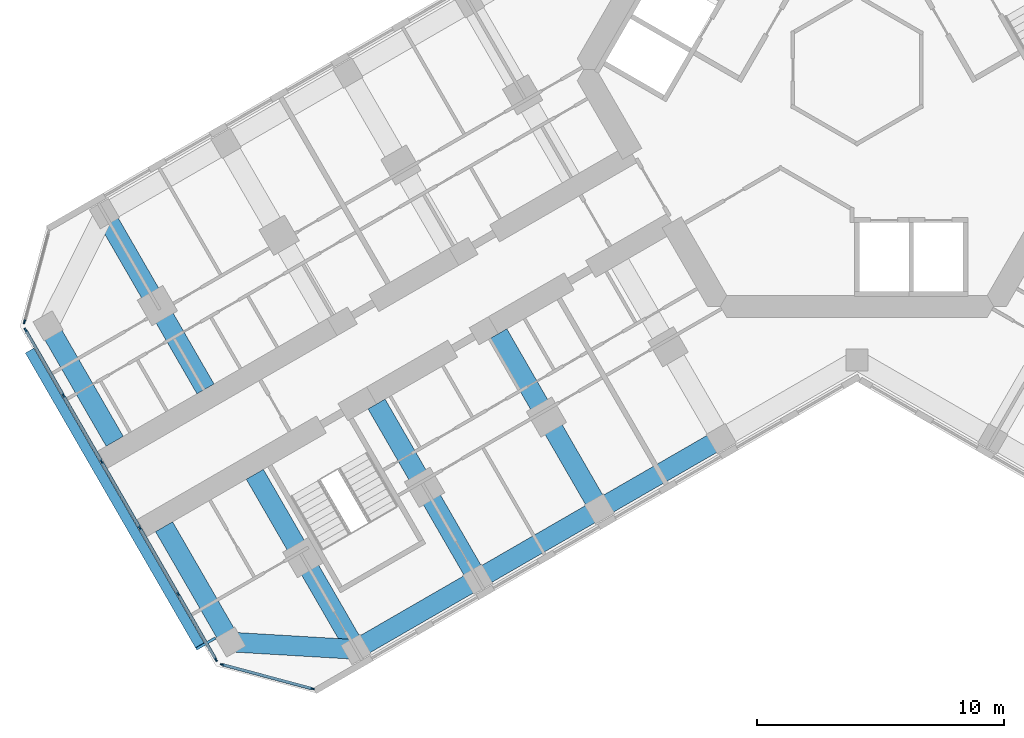
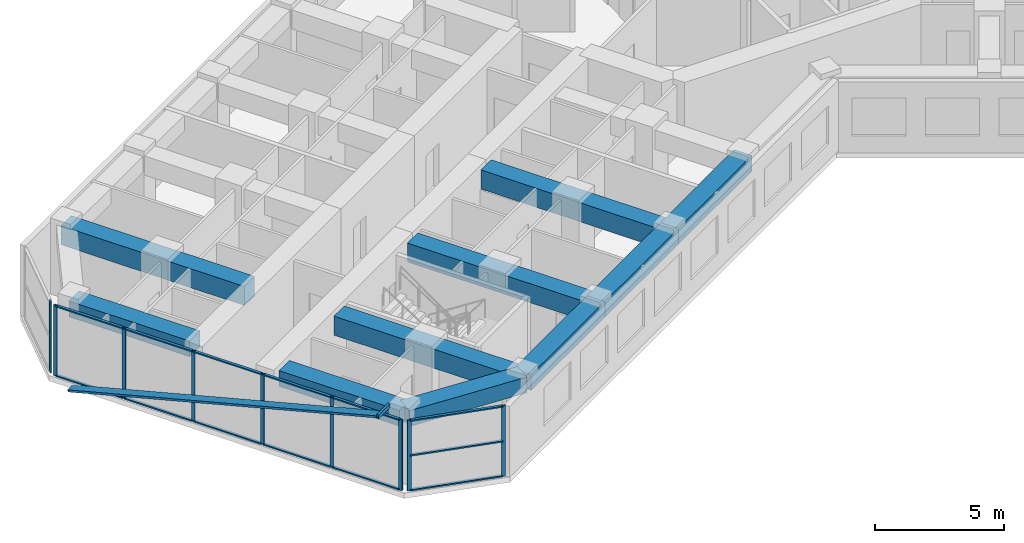
# One storey, part 2 of 20: 24 members, 10 beams, 3 elements without a shape of their own.
"""IFC4 building model written with IfcOpenShell, lengths in metres."""

from ifc_helpers import new_model, si_unit, direction, frame, origin, origin_2d, place, context, subcontext, project, spatial, rectangle, hollow_rectangle, extrude, material, material_profile, profile_set, type_object, element, aggregate, save


model = new_model("IFC4")

# Units and contexts
model_context = context("Model", 3, precision=1e-05, world=origin(), true_north=direction((0.0, 1.0)))
body_context = subcontext(model_context, "Body", "Model", "MODEL_VIEW")
ifc_project = project(units=[si_unit("LENGTHUNIT", "METRE"), si_unit("AREAUNIT", "SQUARE_METRE"), si_unit("VOLUMEUNIT", "CUBIC_METRE"), si_unit("PLANEANGLEUNIT", "RADIAN"), si_unit("MASSUNIT", "GRAM", prefix="KILO")], contexts=[model_context])

# Site, building, storey
site_placement = place(None, origin())
site = spatial("IfcSite", under=ifc_project, at=site_placement, CompositionType="ELEMENT")
building_placement = place(site_placement, origin())
building = spatial("IfcBuilding", under=site, at=building_placement, Name="Kosmar Iwan School Tower", CompositionType="ELEMENT")
storey_placement = place(building_placement, frame((0.0, 0.0, 176.0)))
storey = spatial("IfcBuildingStorey", under=building, at=storey_placement, Name="L44", CompositionType="ELEMENT", Elevation=176.0)

# Members
ifc_material_1 = material(Name="Black anodised aluminium", Category="aluminium")
ifc_material_profile_1 = material_profile(ifc_material_1, rectangle(XDim=0.10009765625, YDim=0.39990234375, at=origin_2d()), Name="FIN 100x400")
ifc_profile_set_1 = profile_set([ifc_material_profile_1], Name="Black anodised aluminium")
member_type_1 = type_object("IfcMemberType", Name="Diagonal fin 100x400", PredefinedType="USERDEFINED", material=ifc_profile_set_1)
member_1_placement = place(storey_placement, frame((-33.54345703125, -11.40087890625, -0.14990234375), z_axis=(0.483795538458, -0.837973939202, 0.252470897702), x_axis=(-0.126233699175, 0.218647221293, 0.967604488318)))
element("IfcMember", 1, at=member_1_placement, inside=storey, type_object=member_type_1, Name="Diagonal fin L44-F13", ObjectType="FIN", PredefinedType="USERDEFINED", context=body_context, shape_type="SweptSolid", body=[
    extrude(rectangle(XDim=0.10009765625, YDim=0.39990234375, at=origin_2d()), origin(), (0.0, 0.0, 1.0), 14.258544921875),
])
ifc_material_2 = material(Name="Steel S355", Category="steel")
ifc_material_profile_2 = material_profile(ifc_material_2, hollow_rectangle(XDim=0.10009765625, YDim=0.199951171875, WallThickness=0.008056640625, at=origin_2d()), Name="RHS 200x100x8")
ifc_profile_set_2 = profile_set([ifc_material_profile_2], Name="Steel S355")
member_type_2 = type_object("IfcMemberType", Name="Fin bracket RHS 200x100", PredefinedType="USERDEFINED", material=ifc_profile_set_2)
member_2_placement = place(storey_placement, frame((-26.01318359375, -23.0439453125, 3.47509765625), z_axis=(-0.866013897511, -0.50001992892, 0.0), x_axis=(0.50001992892, -0.866013897511, 0.0)))
element("IfcMember", 2, at=member_2_placement, inside=storey, type_object=member_type_2, Name="Fin bracket L45", ObjectType="FIN BRACKET", PredefinedType="USERDEFINED", context=body_context, shape_type="SweptSolid", body=[
    extrude(hollow_rectangle(XDim=0.10009765625, YDim=0.199951171875, WallThickness=0.008056640625, at=origin_2d()), origin(), (0.0, 0.0, 1.0), 0.89990234375),
])

# Curtain wall, member
ifc_material_3 = material(Name="Dark glass in black aluminium frame", Category="aluminium")
curtain_wall_type_1 = type_object("IfcCurtainWallType", Name="Chamfer curtain wall dark glass", PredefinedType="USERDEFINED", material=ifc_material_3)
curtain_wall_1_placement = place(storey_placement, origin())
curtain_wall_1 = element("IfcCurtainWall", 3, at=curtain_wall_1_placement, inside=storey, type_object=curtain_wall_type_1, Name="Curtain wall L44-F12", ObjectType="FACETED CURTAIN WALL", PredefinedType="USERDEFINED")
ifc_material_4 = material(Name="Black anodised aluminium", Category="aluminium")
ifc_material_profile_3 = material_profile(ifc_material_4, rectangle(XDim=0.06005859375, YDim=0.159912109375, at=origin_2d()), Name="MULLION 60x160")
ifc_profile_set_3 = profile_set([ifc_material_profile_3], Name="Black anodised aluminium")
member_type_3 = type_object("IfcMemberType", Name="Mullion 60x160", PredefinedType="MULLION", material=ifc_profile_set_3)
member_3_placement = place(storey_placement, frame((-33.7587890625, -10.2236328125, 0.0), z_axis=(0.0, 0.0, 1.0), x_axis=(0.965925875495, -0.258818861462, 0.0)))
member_3 = element("IfcMember", 4, at=member_3_placement, type_object=member_type_3, Name="CW2 mullion 2", PredefinedType="MULLION", context=body_context, shape_type="SweptSolid", body=[
    extrude(rectangle(XDim=0.06005859375, YDim=0.159912109375, at=origin_2d()), origin(), (0.0, 0.0, 1.0), 3.35009765625),
])
aggregate(curtain_wall_1, [member_3])

# Curtain wall, members
ifc_material_5 = material(Name="Dark glass in black aluminium frame", Category="aluminium")
curtain_wall_type_2 = type_object("IfcCurtainWallType", Name="Tower curtain wall dark glass", PredefinedType="USERDEFINED", material=ifc_material_5)
curtain_wall_2_placement = place(storey_placement, origin())
curtain_wall_2 = element("IfcCurtainWall", 5, at=curtain_wall_2_placement, inside=storey, type_object=curtain_wall_type_2, Name="Curtain wall L44-F13", ObjectType="UNITISED CURTAIN WALL", PredefinedType="USERDEFINED")
member_4_placement = place(storey_placement, frame((-33.71533203125, -10.55322265625, 0.0), z_axis=(0.0, 0.0, 1.0), x_axis=(0.866025405329, 0.499999997325, 0.0)))
member_4 = element("IfcMember", 6, at=member_4_placement, type_object=member_type_3, Name="CW1 mullion 1", PredefinedType="MULLION", context=body_context, shape_type="SweptSolid", body=[
    extrude(rectangle(XDim=0.06005859375, YDim=0.159912109375, at=origin_2d()), origin(), (0.0, 0.0, 1.0), 3.35009765625),
])
member_5_placement = place(storey_placement, frame((-32.1806640625, -13.21142578125, 0.0), z_axis=(0.0, 0.0, 1.0), x_axis=(0.866025405329, 0.499999997325, 0.0)))
member_5 = element("IfcMember", 7, at=member_5_placement, type_object=member_type_3, Name="CW1 mullion 2", PredefinedType="MULLION", context=body_context, shape_type="SweptSolid", body=[
    extrude(rectangle(XDim=0.06005859375, YDim=0.159912109375, at=origin_2d()), origin(), (0.0, 0.0, 1.0), 3.35009765625),
])
member_6_placement = place(storey_placement, frame((-30.631103515625, -15.8955078125, 0.0), z_axis=(0.0, 0.0, 1.0), x_axis=(0.866025405329, 0.499999997325, 0.0)))
member_6 = element("IfcMember", 8, at=member_6_placement, type_object=member_type_3, Name="CW1 mullion 3", PredefinedType="MULLION", context=body_context, shape_type="SweptSolid", body=[
    extrude(rectangle(XDim=0.06005859375, YDim=0.159912109375, at=origin_2d()), origin(), (0.0, 0.0, 1.0), 3.35009765625),
])
member_7_placement = place(storey_placement, frame((-29.081298828125, -18.57958984375, 0.0), z_axis=(0.0, 0.0, 1.0), x_axis=(0.866025405329, 0.499999997325, 0.0)))
member_7 = element("IfcMember", 9, at=member_7_placement, type_object=member_type_3, Name="CW1 mullion 4", PredefinedType="MULLION", context=body_context, shape_type="SweptSolid", body=[
    extrude(rectangle(XDim=0.06005859375, YDim=0.159912109375, at=origin_2d()), origin(), (0.0, 0.0, 1.0), 3.35009765625),
])
member_8_placement = place(storey_placement, frame((-27.53173828125, -21.263671875, 0.0), z_axis=(0.0, 0.0, 1.0), x_axis=(0.866025405329, 0.499999997325, 0.0)))
member_8 = element("IfcMember", 10, at=member_8_placement, type_object=member_type_3, Name="CW1 mullion 5", PredefinedType="MULLION", context=body_context, shape_type="SweptSolid", body=[
    extrude(rectangle(XDim=0.06005859375, YDim=0.159912109375, at=origin_2d()), origin(), (0.0, 0.0, 1.0), 3.35009765625),
])
member_9_placement = place(storey_placement, frame((-25.9970703125, -23.921630859375, 0.0), z_axis=(0.0, 0.0, 1.0), x_axis=(0.866025405329, 0.499999997325, 0.0)))
member_9 = element("IfcMember", 11, at=member_9_placement, type_object=member_type_3, Name="CW1 mullion 6", PredefinedType="MULLION", context=body_context, shape_type="SweptSolid", body=[
    extrude(rectangle(XDim=0.06005859375, YDim=0.159912109375, at=origin_2d()), origin(), (0.0, 0.0, 1.0), 3.35009765625),
])

curtain_wall_3_placement = place(storey_placement, origin())
curtain_wall_3 = element("IfcCurtainWall", 12, at=curtain_wall_3_placement, inside=storey, type_object=curtain_wall_type_1, Name="Curtain wall L44-F14", ObjectType="FACETED CURTAIN WALL", PredefinedType="USERDEFINED")
member_10_placement = place(storey_placement, frame((-25.733154296875, -24.124267578125, 0.0), z_axis=(0.0, 0.0, 1.0), x_axis=(0.258818861462, 0.965925875495, 0.0)))
member_10 = element("IfcMember", 13, at=member_10_placement, type_object=member_type_3, Name="CW2 mullion 1", PredefinedType="MULLION", context=body_context, shape_type="SweptSolid", body=[
    extrude(rectangle(XDim=0.06005859375, YDim=0.159912109375, at=origin_2d()), origin(), (0.0, 0.0, 1.0), 3.35009765625),
])
member_11_placement = place(storey_placement, frame((-22.0830078125, -25.102294921875, 0.0), z_axis=(0.0, 0.0, 1.0), x_axis=(0.258818861462, 0.965925875495, 0.0)))
member_11 = element("IfcMember", 14, at=member_11_placement, type_object=member_type_3, Name="CW2 mullion 2", PredefinedType="MULLION", context=body_context, shape_type="SweptSolid", body=[
    extrude(rectangle(XDim=0.06005859375, YDim=0.159912109375, at=origin_2d()), origin(), (0.0, 0.0, 1.0), 3.35009765625),
])

# Beams
ifc_material_6 = material(Name="Concrete C50/60", Category="concrete")
ifc_material_profile_4 = material_profile(ifc_material_6, rectangle(XDim=0.800048828125, YDim=0.75, at=origin_2d()), Name="RC 800x750")
ifc_profile_set_4 = profile_set([ifc_material_profile_4], Name="Concrete C50/60")
beam_type_1 = type_object("IfcBeamType", Name="RC edge beam 800x750", PredefinedType="BEAM", material=ifc_profile_set_4)
beam_1_placement = place(storey_placement, frame((-5.5087890625, -14.95849609375, 2.97509765625), z_axis=(-0.866033658841, -0.49998570155, 0.0), x_axis=(0.49998570155, -0.866033658841, 0.0)))
element("IfcBeam", 15, at=beam_1_placement, inside=storey, type_object=beam_type_1, Name="Edge beam BL2", PredefinedType="BEAM", context=body_context, shape_type="SweptSolid", body=[
    extrude(rectangle(XDim=0.800048828125, YDim=0.75, at=origin_2d()), origin(), (0.0, 0.0, 1.0), 5.699951171875),
])
beam_2_placement = place(storey_placement, frame((-10.445068359375, -17.808349609375, 2.97509765625), z_axis=(-0.866025820012, -0.499999279071, 0.0), x_axis=(0.499999279071, -0.866025820012, 0.0)))
element("IfcBeam", 16, at=beam_2_placement, inside=storey, type_object=beam_type_1, Name="Edge beam BL3", PredefinedType="BEAM", context=body_context, shape_type="SweptSolid", body=[
    extrude(rectangle(XDim=0.800048828125, YDim=0.75, at=origin_2d()), origin(), (0.0, 0.0, 1.0), 5.7001953125),
])
beam_3_placement = place(storey_placement, frame((-15.381591796875, -20.658447265625, 2.97509765625), z_axis=(-0.866015111908, -0.50001782563, 0.0), x_axis=(0.50001782563, -0.866015111908, 0.0)))
element("IfcBeam", 17, at=beam_3_placement, inside=storey, type_object=beam_type_1, Name="Edge beam BL4", PredefinedType="BEAM", context=body_context, shape_type="SweptSolid", body=[
    extrude(rectangle(XDim=0.800048828125, YDim=0.75, at=origin_2d()), origin(), (0.0, 0.0, 1.0), 5.699951171875),
])
ifc_material_7 = material(Name="Concrete C50/60", Category="concrete")
ifc_material_profile_5 = material_profile(ifc_material_7, rectangle(XDim=0.800048828125, YDim=0.75, at=origin_2d()), Name="RC 800x750")
ifc_profile_set_5 = profile_set([ifc_material_profile_5], Name="Concrete C50/60")
beam_type_2 = type_object("IfcBeamType", Name="RC tip beam 800x750", PredefinedType="BEAM", material=ifc_profile_set_5)
beam_4_placement = place(storey_placement, frame((-20.31787109375, -23.508544921875, 2.97509765625), z_axis=(-0.998260616478, 0.058955420358, 0.0), x_axis=(-0.058955420358, -0.998260616478, 0.0)))
element("IfcBeam", 18, at=beam_4_placement, inside=storey, type_object=beam_type_2, Name="Tip beam BL", PredefinedType="BEAM", context=body_context, shape_type="SweptSolid", body=[
    extrude(rectangle(XDim=0.800048828125, YDim=0.75, at=origin_2d()), origin(), (0.0, 0.0, 1.0), 5.08935546875),
])
for number, where, z_axis, x_axis, name in (
    (19, (-25.3984375, -23.20849609375, 2.97509765625), (-0.499995103361, 0.866028230842, 0.0), (-0.866028230842, -0.499995103361, 0.0), "Tip beam BL to corridor wall"),
    (20, (-32.79833984375, -10.391357421875, 2.97509765625), (0.499995103361, -0.866028230842, 0.0), (0.866028230842, 0.499995103361, 0.0), "Tip beam BR to corridor wall"),
):
    element("IfcBeam", number, at=place(storey_placement, frame(where, z_axis=z_axis, x_axis=x_axis)), inside=storey, type_object=beam_type_2, Name=name, PredefinedType="BEAM", context=body_context, shape_type="SweptSolid", body=[
        extrude(rectangle(XDim=0.800048828125, YDim=0.75, at=origin_2d()), origin(), (0.0, 0.0, 1.0), 5.39990234375),
    ])
ifc_material_8 = material(Name="Concrete C50/60", Category="concrete")
ifc_material_profile_6 = material_profile(ifc_material_8, rectangle(XDim=0.800048828125, YDim=0.89990234375, at=origin_2d()), Name="RC 800x900")
ifc_profile_set_6 = profile_set([ifc_material_profile_6], Name="Concrete C50/60")
beam_type_3 = type_object("IfcBeamType", Name="RC transverse beam 800x900", PredefinedType="BEAM", material=ifc_profile_set_6)
for number, where, z_axis, x_axis, name in (
    (21, (-10.445068359375, -17.808349609375, 2.89990234375), (-0.500013681986, 0.866017504342, 0.0), (-0.866017504342, -0.500013681986, 0.0), "Transverse beam BL2"),
    (22, (-15.381591796875, -20.658447265625, 2.89990234375), (-0.49999135188, 0.866030396721, 0.0), (-0.866030396721, -0.49999135188, 0.0), "Transverse beam BL3"),
    (23, (-20.31787109375, -23.508544921875, 2.89990234375), (-0.499978459874, 0.866037839625, 0.0), (-0.866037839625, -0.499978459874, 0.0), "Transverse beam BL4"),
    (24, (-30.517822265625, -5.841552734375, 2.89990234375), (0.500013681986, -0.866017504342, 0.0), (0.866017504342, 0.500013681986, 0.0), "Transverse beam BR4"),
):
    element("IfcBeam", number, at=place(storey_placement, frame(where, z_axis=z_axis, x_axis=x_axis)), inside=storey, type_object=beam_type_3, Name=name, PredefinedType="BEAM", context=body_context, shape_type="SweptSolid", body=[
        extrude(rectangle(XDim=0.800048828125, YDim=0.89990234375, at=origin_2d()), origin(), (0.0, 0.0, 1.0), 8.199951171875),
    ])

# Member
ifc_material_9 = material(Name="Black anodised aluminium", Category="aluminium")
ifc_material_profile_7 = material_profile(ifc_material_9, rectangle(XDim=0.1201171875, YDim=0.06005859375, at=origin_2d()), Name="TRANSOM 60x120")
ifc_profile_set_7 = profile_set([ifc_material_profile_7], Name="Black anodised aluminium")
member_type_4 = type_object("IfcMemberType", Name="Transom 60x120", PredefinedType="USERDEFINED", material=ifc_profile_set_7)
member_12_placement = place(storey_placement, frame((-33.700439453125, -10.579345703125, 0.030029296875), z_axis=(0.500022102064, -0.866012642776, 0.0), x_axis=(0.866012642776, 0.500022102064, 0.0)))
member_12 = element("IfcMember", 25, at=member_12_placement, type_object=member_type_4, Name="CW1 transom 1.1", ObjectType="TRANSOM", PredefinedType="USERDEFINED", context=body_context, shape_type="SweptSolid", body=[
    extrude(rectangle(XDim=0.1201171875, YDim=0.06005859375, at=origin_2d()), origin(), (0.0, 0.0, 1.0), 3.009033203125),
])

member_13_placement = place(storey_placement, frame((-33.700439453125, -10.579345703125, 3.320068359375), z_axis=(0.500022102064, -0.866012642776, 0.0), x_axis=(0.866012642776, 0.500022102064, 0.0)))
member_13 = element("IfcMember", 26, at=member_13_placement, type_object=member_type_4, Name="CW1 transom 1.2", ObjectType="TRANSOM", PredefinedType="USERDEFINED", context=body_context, shape_type="SweptSolid", body=[
    extrude(rectangle(XDim=0.1201171875, YDim=0.06005859375, at=origin_2d()), origin(), (0.0, 0.0, 1.0), 3.009033203125),
])

member_14_placement = place(storey_placement, frame((-32.165771484375, -13.2373046875, 0.030029296875), z_axis=(0.500035348339, -0.866004994449, 0.0), x_axis=(0.866004994449, 0.500035348339, 0.0)))
member_14 = element("IfcMember", 27, at=member_14_placement, type_object=member_type_4, Name="CW1 transom 2.1", ObjectType="TRANSOM", PredefinedType="USERDEFINED", context=body_context, shape_type="SweptSolid", body=[
    extrude(rectangle(XDim=0.1201171875, YDim=0.06005859375, at=origin_2d()), origin(), (0.0, 0.0, 1.0), 3.039306640625),
])

member_15_placement = place(storey_placement, frame((-32.165771484375, -13.2373046875, 3.320068359375), z_axis=(0.500035348339, -0.866004994449, 0.0), x_axis=(0.866004994449, 0.500035348339, 0.0)))
member_15 = element("IfcMember", 28, at=member_15_placement, type_object=member_type_4, Name="CW1 transom 2.2", ObjectType="TRANSOM", PredefinedType="USERDEFINED", context=body_context, shape_type="SweptSolid", body=[
    extrude(rectangle(XDim=0.1201171875, YDim=0.06005859375, at=origin_2d()), origin(), (0.0, 0.0, 1.0), 3.039306640625),
])

member_16_placement = place(storey_placement, frame((-30.615966796875, -15.92138671875, 0.030029296875), z_axis=(0.499975102327, -0.866039777986, 0.0), x_axis=(0.866039777986, 0.499975102327, 0.0)))
member_16 = element("IfcMember", 29, at=member_16_placement, type_object=member_type_4, Name="CW1 transom 3.1", ObjectType="TRANSOM", PredefinedType="USERDEFINED", context=body_context, shape_type="SweptSolid", body=[
    extrude(rectangle(XDim=0.1201171875, YDim=0.06005859375, at=origin_2d()), origin(), (0.0, 0.0, 1.0), 3.039306640625),
])

member_17_placement = place(storey_placement, frame((-30.615966796875, -15.92138671875, 3.320068359375), z_axis=(0.499975102327, -0.866039777986, 0.0), x_axis=(0.866039777986, 0.499975102327, 0.0)))
member_17 = element("IfcMember", 30, at=member_17_placement, type_object=member_type_4, Name="CW1 transom 3.2", ObjectType="TRANSOM", PredefinedType="USERDEFINED", context=body_context, shape_type="SweptSolid", body=[
    extrude(rectangle(XDim=0.1201171875, YDim=0.06005859375, at=origin_2d()), origin(), (0.0, 0.0, 1.0), 3.039306640625),
])

member_18_placement = place(storey_placement, frame((-29.06640625, -18.60546875, 0.030029296875), z_axis=(0.499975102327, -0.866039777986, 0.0), x_axis=(0.866039777986, 0.499975102327, 0.0)))
member_18 = element("IfcMember", 31, at=member_18_placement, type_object=member_type_4, Name="CW1 transom 4.1", ObjectType="TRANSOM", PredefinedType="USERDEFINED", context=body_context, shape_type="SweptSolid", body=[
    extrude(rectangle(XDim=0.1201171875, YDim=0.06005859375, at=origin_2d()), origin(), (0.0, 0.0, 1.0), 3.039306640625),
])

member_19_placement = place(storey_placement, frame((-29.06640625, -18.60546875, 3.320068359375), z_axis=(0.499975102327, -0.866039777986, 0.0), x_axis=(0.866039777986, 0.499975102327, 0.0)))
member_19 = element("IfcMember", 32, at=member_19_placement, type_object=member_type_4, Name="CW1 transom 4.2", ObjectType="TRANSOM", PredefinedType="USERDEFINED", context=body_context, shape_type="SweptSolid", body=[
    extrude(rectangle(XDim=0.1201171875, YDim=0.06005859375, at=origin_2d()), origin(), (0.0, 0.0, 1.0), 3.039306640625),
])

member_20_placement = place(storey_placement, frame((-27.516845703125, -21.28955078125, 0.030029296875), z_axis=(0.499986971506, -0.866032925658, 0.0), x_axis=(0.866032925658, 0.499986971506, 0.0)))
member_20 = element("IfcMember", 33, at=member_20_placement, type_object=member_type_4, Name="CW1 transom 5.1", ObjectType="TRANSOM", PredefinedType="USERDEFINED", context=body_context, shape_type="SweptSolid", body=[
    extrude(rectangle(XDim=0.1201171875, YDim=0.06005859375, at=origin_2d()), origin(), (0.0, 0.0, 1.0), 3.00927734375),
])

member_21_placement = place(storey_placement, frame((-27.516845703125, -21.28955078125, 3.320068359375), z_axis=(0.499986971506, -0.866032925658, 0.0), x_axis=(0.866032925658, 0.499986971506, 0.0)))
member_21 = element("IfcMember", 34, at=member_21_placement, type_object=member_type_4, Name="CW1 transom 5.2", ObjectType="TRANSOM", PredefinedType="USERDEFINED", context=body_context, shape_type="SweptSolid", body=[
    extrude(rectangle(XDim=0.1201171875, YDim=0.06005859375, at=origin_2d()), origin(), (0.0, 0.0, 1.0), 3.00927734375),
])

aggregate(curtain_wall_2, [member_4, member_5, member_6, member_7, member_8, member_9, member_12, member_13, member_14, member_15, member_16, member_17, member_18, member_19, member_20, member_21])

member_22_placement = place(storey_placement, frame((-25.704345703125, -24.1318359375, 0.030029296875), z_axis=(0.965923731726, -0.258826861991, 0.0), x_axis=(0.258826861991, 0.965923731726, 0.0)))
member_22 = element("IfcMember", 35, at=member_22_placement, type_object=member_type_4, Name="CW2 transom 1.1", ObjectType="TRANSOM", PredefinedType="USERDEFINED", context=body_context, shape_type="SweptSolid", body=[
    extrude(rectangle(XDim=0.1201171875, YDim=0.06005859375, at=origin_2d()), origin(), (0.0, 0.0, 1.0), 3.71923828125),
])

member_23_placement = place(storey_placement, frame((-25.704345703125, -24.1318359375, 1.675048828125), z_axis=(0.965923731726, -0.258826861991, 0.0), x_axis=(0.258826861991, 0.965923731726, 0.0)))
member_23 = element("IfcMember", 36, at=member_23_placement, type_object=member_type_4, Name="CW2 transom 1.2", ObjectType="TRANSOM", PredefinedType="USERDEFINED", context=body_context, shape_type="SweptSolid", body=[
    extrude(rectangle(XDim=0.1201171875, YDim=0.06005859375, at=origin_2d()), origin(), (0.0, 0.0, 1.0), 3.71923828125),
])

member_24_placement = place(storey_placement, frame((-25.704345703125, -24.1318359375, 3.320068359375), z_axis=(0.965923731726, -0.258826861991, 0.0), x_axis=(0.258826861991, 0.965923731726, 0.0)))
member_24 = element("IfcMember", 37, at=member_24_placement, type_object=member_type_4, Name="CW2 transom 1.3", ObjectType="TRANSOM", PredefinedType="USERDEFINED", context=body_context, shape_type="SweptSolid", body=[
    extrude(rectangle(XDim=0.1201171875, YDim=0.06005859375, at=origin_2d()), origin(), (0.0, 0.0, 1.0), 3.71923828125),
])

aggregate(curtain_wall_3, [member_10, member_11, member_22, member_23, member_24])

save(model, "model.ifc")
